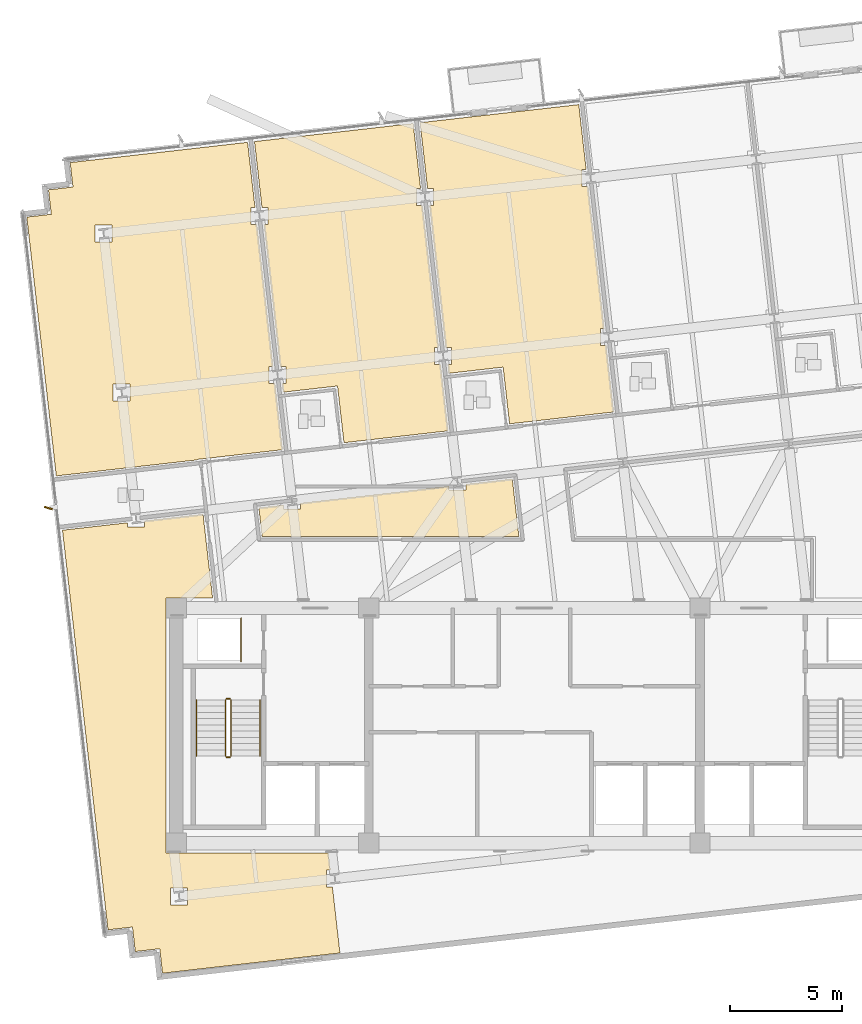
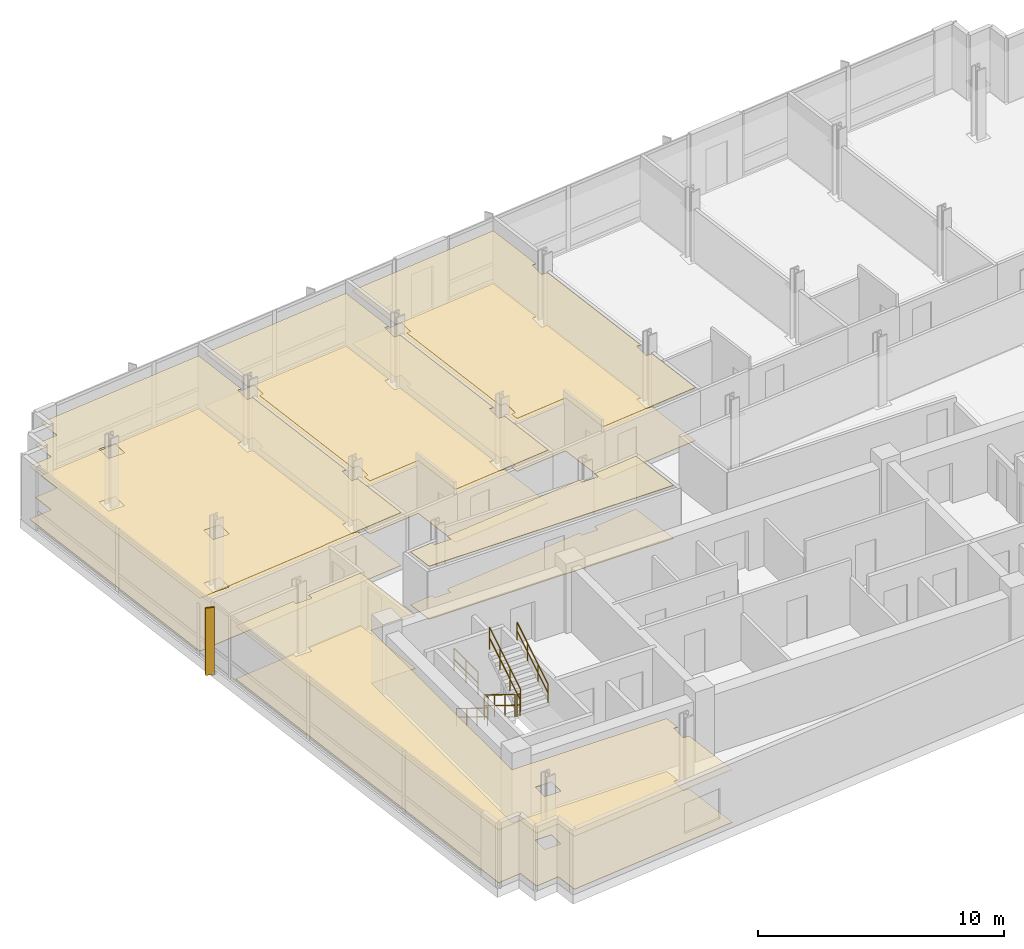
# One storey, part 12 of 15: 10 coverings, 7 railings, 1 shading device.
"""IFC4 building model written with IfcOpenShell, lengths in metres."""

from ifc_helpers import new_model, si_unit, direction, frame, origin, origin_2d, place, context, subcontext, project, spatial, polyline, rectangle, circle, outline, extrude, material, layer, layer_set, type_object, element, save


model = new_model("IFC4")

# Units and contexts
model_context = context("Model", 3, precision=1e-05, world=origin(), true_north=direction((0.0, 1.0)))
body_context = subcontext(model_context, "Body", "Model", "MODEL_VIEW")
ifc_project = project(units=[si_unit("LENGTHUNIT", "METRE"), si_unit("AREAUNIT", "SQUARE_METRE"), si_unit("VOLUMEUNIT", "CUBIC_METRE"), si_unit("PLANEANGLEUNIT", "RADIAN"), si_unit("MASSUNIT", "GRAM", prefix="KILO")], contexts=[model_context])

# Site, building, storey
site_placement = place(None, origin())
site = spatial("IfcSite", under=ifc_project, at=site_placement, CompositionType="ELEMENT")
building_placement = place(site_placement, origin())
building = spatial("IfcBuilding", under=site, at=building_placement, Name="Solmavex Isthmus Hotel", CompositionType="ELEMENT")
storey_placement = place(building_placement, frame((0.0, 0.0, 191.699951171875)))
storey = spatial("IfcBuildingStorey", under=building, at=storey_placement, Name="L51", CompositionType="ELEMENT", Elevation=191.699951171875)

# Coverings
ifc_material_1 = material(Name="Gypsum plasterboard lining", Category="gypsum")
ifc_layer_1 = layer(ifc_material_1, 0.030029296875)
ifc_layer_set_1 = layer_set([ifc_layer_1], Name="Gypsum plasterboard lining")
covering_type_1 = type_object("IfcCoveringType", Name="COV-CEIL-GYP", PredefinedType="CEILING", material=ifc_layer_set_1)
covering_1_placement = place(storey_placement, frame((0.0, 0.0, 2.6201171875)))
element("IfcCovering", 1, at=covering_1_placement, inside=storey, type_object=covering_type_1, Name="Suspended Acoustic Ceiling L51-RM01", PredefinedType="CEILING", context=body_context, shape_type="SweptSolid", body=[
    extrude(outline(polyline([(-15.079833984375, 4.11669921875), (-15.08203125, 4.136474609375), (-11.2490234375, 4.5732421875), (-11.586181640625, 7.532470703125), (-11.853271484375, 7.532470703125), (-11.853271484375, 8.29248046875), (-11.672607421875, 8.29248046875), (-12.395751953125, 14.638427734375), (-12.6630859375, 14.638427734375), (-12.6630859375, 15.3984375), (-12.482421875, 15.3984375), (-12.8134765625, 18.304443359375), (-19.92041015625, 17.49462890625), (-20.740234375, 17.4013671875), (-20.615478515625, 16.308349609375), (-21.70849609375, 16.183837890625), (-21.583984375, 15.091064453125), (-22.677001953125, 14.966552734375), (-22.58349609375, 14.146728515625), (-21.359130859375, 3.4013671875), (-15.079833984375, 4.11669921875)]), holes=[polyline([(-18.81640625, 6.739013671875), (-18.81640625, 7.4990234375), (-18.056396484375, 7.4990234375), (-18.056396484375, 6.739013671875), (-18.81640625, 6.739013671875)]), polyline([(-19.6259765625, 13.844970703125), (-19.6259765625, 14.60498046875), (-18.865966796875, 14.60498046875), (-18.865966796875, 13.844970703125), (-19.6259765625, 13.844970703125)])]), origin(), (0.0, 0.0, 1.0), 0.030029296875),
])
covering_2_placement = place(storey_placement, frame((0.0, 0.0, 2.6201171875)))
element("IfcCovering", 2, at=covering_2_placement, inside=storey, type_object=covering_type_1, Name="Suspended Acoustic Ceiling L51-RM02", PredefinedType="CEILING", context=body_context, shape_type="SweptSolid", body=[
    extrude(outline(polyline([(-11.360595703125, 8.29248046875), (-11.09326171875, 8.29248046875), (-11.09326171875, 7.532470703125), (-11.274169921875, 7.532470703125), (-11.2294921875, 7.14208984375), (-8.79541015625, 7.41943359375), (-8.506591796875, 4.8857421875), (-3.850830078125, 5.416259765625), (-4.18798828125, 8.375244140625), (-4.455322265625, 8.375244140625), (-4.455322265625, 9.13525390625), (-4.2744140625, 9.13525390625), (-4.99755859375, 15.481201171875), (-5.264892578125, 15.481201171875), (-5.264892578125, 16.2412109375), (-5.084228515625, 16.2412109375), (-5.415283203125, 19.1474609375), (-12.50537109375, 18.339599609375), (-12.17041015625, 15.3984375), (-11.903076171875, 15.3984375), (-11.903076171875, 14.638427734375), (-12.083740234375, 14.638427734375), (-11.763916015625, 11.832275390625), (-11.360595703125, 8.29248046875)])), origin(), (0.0, 0.0, 1.0), 0.030029296875),
])
covering_3_placement = place(storey_placement, frame((0.0, 0.0, 2.6201171875)))
element("IfcCovering", 3, at=covering_3_placement, inside=storey, type_object=covering_type_1, Name="Suspended Acoustic Ceiling L51-RM03", PredefinedType="CEILING", context=body_context, shape_type="SweptSolid", body=[
    extrude(outline(polyline([(-3.962646484375, 9.13525390625), (-3.6953125, 9.13525390625), (-3.6953125, 8.375244140625), (-3.8759765625, 8.375244140625), (-3.83154296875, 7.98486328125), (-1.397216796875, 8.26220703125), (-1.108642578125, 5.728759765625), (3.54736328125, 6.259033203125), (3.210205078125, 9.21826171875), (2.94287109375, 9.21826171875), (2.94287109375, 9.978271484375), (3.12353515625, 9.978271484375), (2.400634765625, 16.32421875), (2.13330078125, 16.32421875), (2.13330078125, 17.084228515625), (2.31396484375, 17.084228515625), (1.98291015625, 19.990234375), (-5.107177734375, 19.182373046875), (-4.772216796875, 16.2412109375), (-4.5048828125, 16.2412109375), (-4.5048828125, 15.481201171875), (-4.685546875, 15.481201171875), (-3.962646484375, 9.13525390625)])), origin(), (0.0, 0.0, 1.0), 0.030029296875),
])
covering_4_placement = place(storey_placement, frame((0.0, 0.0, 2.6201171875)))
element("IfcCovering", 4, at=covering_4_placement, inside=storey, type_object=covering_type_1, Name="Suspended Acoustic Ceiling L51-FL09", PredefinedType="CEILING", context=body_context, shape_type="SweptSolid", body=[
    extrude(outline(polyline([(-10.4541015625, 2.18798828125), (-10.4541015625, 1.920654296875), (-11.214111328125, 1.920654296875), (-11.214111328125, 2.101318359375), (-12.309814453125, 1.9765625), (-12.1650390625, 0.705078125), (-0.694091796875, 0.705078125), (-0.986083984375, 3.2666015625), (-3.055908203125, 3.03076171875), (-3.055908203125, 2.763671875), (-3.81591796875, 2.763671875), (-3.81591796875, 2.9443359375), (-10.4541015625, 2.18798828125)])), origin(), (0.0, 0.0, 1.0), 0.030029296875),
])
covering_5_placement = place(storey_placement, frame((0.0, 0.0, 2.6201171875)))
element("IfcCovering", 5, at=covering_5_placement, inside=storey, type_object=covering_type_1, Name="Suspended Acoustic Ceiling L51-FL10", PredefinedType="CEILING", context=body_context, shape_type="SweptSolid", body=[
    extrude(outline(polyline([(-17.4169921875, 1.39453125), (-17.4169921875, 1.12744140625), (-18.177001953125, 1.12744140625), (-18.177001953125, 1.30810546875), (-21.0830078125, 0.97705078125), (-19.996826171875, -8.556396484375), (-19.4365234375, -13.474609375), (-19.14208984375, -16.057861328125), (-19.048828125, -16.87744140625), (-17.955810546875, -16.7529296875), (-17.873779296875, -17.473388671875), (-17.831298828125, -17.845947265625), (-16.73828125, -17.721435546875), (-16.61376953125, -18.814453125), (-15.794189453125, -18.720947265625), (-8.687255859375, -17.9111328125), (-8.85400390625, -16.44580078125), (-9.022216796875, -14.969970703125), (-9.28955078125, -14.969970703125), (-9.28955078125, -14.2099609375), (-9.10888671875, -14.2099609375), (-9.19482421875, -13.455078125), (-16.455078125, -13.455078125), (-16.455078125, -2.044921875), (-14.3779296875, -2.044921875), (-14.8037109375, 1.6923828125), (-17.4169921875, 1.39453125)]), holes=[polyline([(-16.25244140625, -15.763427734375), (-16.25244140625, -15.00341796875), (-15.492431640625, -15.00341796875), (-15.492431640625, -15.763427734375), (-16.25244140625, -15.763427734375)])]), origin(), (0.0, 0.0, 1.0), 0.030029296875),
])
ifc_material_2 = material(Name="Travertine natural stone", Category="masonry")
ifc_layer_2 = layer(ifc_material_2, 0.02490234375)
ifc_layer_set_2 = layer_set([ifc_layer_2], Name="Travertine natural stone")
covering_type_2 = type_object("IfcCoveringType", Name="COV-FLOR-STN", PredefinedType="FLOORING", material=ifc_layer_set_2)
covering_6_placement = place(storey_placement, origin())
element("IfcCovering", 6, at=covering_6_placement, inside=storey, type_object=covering_type_2, Name="Stone and Timber Floor Finish L51-RM01", PredefinedType="FLOORING", context=body_context, shape_type="SweptSolid", body=[
    extrude(outline(polyline([(-15.079833984375, 4.11669921875), (-15.08203125, 4.136474609375), (-11.2490234375, 4.5732421875), (-11.586181640625, 7.532470703125), (-11.853271484375, 7.532470703125), (-11.853271484375, 8.29248046875), (-11.672607421875, 8.29248046875), (-12.395751953125, 14.638427734375), (-12.6630859375, 14.638427734375), (-12.6630859375, 15.3984375), (-12.482421875, 15.3984375), (-12.8134765625, 18.304443359375), (-19.92041015625, 17.49462890625), (-20.740234375, 17.4013671875), (-20.615478515625, 16.308349609375), (-21.70849609375, 16.183837890625), (-21.583984375, 15.091064453125), (-22.677001953125, 14.966552734375), (-22.58349609375, 14.146728515625), (-21.359130859375, 3.4013671875), (-15.079833984375, 4.11669921875)]), holes=[polyline([(-18.81640625, 6.739013671875), (-18.81640625, 7.4990234375), (-18.056396484375, 7.4990234375), (-18.056396484375, 6.739013671875), (-18.81640625, 6.739013671875)]), polyline([(-19.6259765625, 13.844970703125), (-19.6259765625, 14.60498046875), (-18.865966796875, 14.60498046875), (-18.865966796875, 13.844970703125), (-19.6259765625, 13.844970703125)])]), origin(), (0.0, 0.0, 1.0), 0.025146484375),
])
covering_7_placement = place(storey_placement, origin())
element("IfcCovering", 7, at=covering_7_placement, inside=storey, type_object=covering_type_2, Name="Stone and Timber Floor Finish L51-RM02", PredefinedType="FLOORING", context=body_context, shape_type="SweptSolid", body=[
    extrude(outline(polyline([(-11.360595703125, 8.29248046875), (-11.09326171875, 8.29248046875), (-11.09326171875, 7.532470703125), (-11.274169921875, 7.532470703125), (-11.2294921875, 7.14208984375), (-8.79541015625, 7.41943359375), (-8.506591796875, 4.8857421875), (-3.850830078125, 5.416259765625), (-4.18798828125, 8.375244140625), (-4.455322265625, 8.375244140625), (-4.455322265625, 9.13525390625), (-4.2744140625, 9.13525390625), (-4.99755859375, 15.481201171875), (-5.264892578125, 15.481201171875), (-5.264892578125, 16.2412109375), (-5.084228515625, 16.2412109375), (-5.415283203125, 19.1474609375), (-12.50537109375, 18.339599609375), (-12.17041015625, 15.3984375), (-11.903076171875, 15.3984375), (-11.903076171875, 14.638427734375), (-12.083740234375, 14.638427734375), (-11.763916015625, 11.832275390625), (-11.360595703125, 8.29248046875)])), origin(), (0.0, 0.0, 1.0), 0.025146484375),
])
covering_8_placement = place(storey_placement, origin())
element("IfcCovering", 8, at=covering_8_placement, inside=storey, type_object=covering_type_2, Name="Stone and Timber Floor Finish L51-RM03", PredefinedType="FLOORING", context=body_context, shape_type="SweptSolid", body=[
    extrude(outline(polyline([(-3.962646484375, 9.13525390625), (-3.6953125, 9.13525390625), (-3.6953125, 8.375244140625), (-3.8759765625, 8.375244140625), (-3.83154296875, 7.98486328125), (-1.397216796875, 8.26220703125), (-1.108642578125, 5.728759765625), (3.54736328125, 6.259033203125), (3.210205078125, 9.21826171875), (2.94287109375, 9.21826171875), (2.94287109375, 9.978271484375), (3.12353515625, 9.978271484375), (2.400634765625, 16.32421875), (2.13330078125, 16.32421875), (2.13330078125, 17.084228515625), (2.31396484375, 17.084228515625), (1.98291015625, 19.990234375), (-5.107177734375, 19.182373046875), (-4.772216796875, 16.2412109375), (-4.5048828125, 16.2412109375), (-4.5048828125, 15.481201171875), (-4.685546875, 15.481201171875), (-3.962646484375, 9.13525390625)])), origin(), (0.0, 0.0, 1.0), 0.025146484375),
])
covering_9_placement = place(storey_placement, origin())
element("IfcCovering", 9, at=covering_9_placement, inside=storey, type_object=covering_type_2, Name="Stone and Timber Floor Finish L51-FL09", PredefinedType="FLOORING", context=body_context, shape_type="SweptSolid", body=[
    extrude(outline(polyline([(-10.4541015625, 2.18798828125), (-10.4541015625, 1.920654296875), (-11.214111328125, 1.920654296875), (-11.214111328125, 2.101318359375), (-12.309814453125, 1.9765625), (-12.1650390625, 0.705078125), (-0.694091796875, 0.705078125), (-0.986083984375, 3.2666015625), (-3.055908203125, 3.03076171875), (-3.055908203125, 2.763671875), (-3.81591796875, 2.763671875), (-3.81591796875, 2.9443359375), (-10.4541015625, 2.18798828125)])), origin(), (0.0, 0.0, 1.0), 0.025146484375),
])
covering_10_placement = place(storey_placement, origin())
element("IfcCovering", 10, at=covering_10_placement, inside=storey, type_object=covering_type_2, Name="Stone and Timber Floor Finish L51-FL10", PredefinedType="FLOORING", context=body_context, shape_type="SweptSolid", body=[
    extrude(outline(polyline([(-17.4169921875, 1.39453125), (-17.4169921875, 1.12744140625), (-18.177001953125, 1.12744140625), (-18.177001953125, 1.30810546875), (-21.0830078125, 0.97705078125), (-19.996826171875, -8.556396484375), (-19.4365234375, -13.474609375), (-19.14208984375, -16.057861328125), (-19.048828125, -16.87744140625), (-17.955810546875, -16.7529296875), (-17.873779296875, -17.473388671875), (-17.831298828125, -17.845947265625), (-16.73828125, -17.721435546875), (-16.61376953125, -18.814453125), (-15.794189453125, -18.720947265625), (-8.687255859375, -17.9111328125), (-8.85400390625, -16.44580078125), (-9.022216796875, -14.969970703125), (-9.28955078125, -14.969970703125), (-9.28955078125, -14.2099609375), (-9.10888671875, -14.2099609375), (-9.19482421875, -13.455078125), (-16.455078125, -13.455078125), (-16.455078125, -2.044921875), (-14.3779296875, -2.044921875), (-14.8037109375, 1.6923828125), (-17.4169921875, 1.39453125)]), holes=[polyline([(-16.25244140625, -15.763427734375), (-16.25244140625, -15.00341796875), (-15.492431640625, -15.00341796875), (-15.492431640625, -15.763427734375), (-16.25244140625, -15.763427734375)])]), origin(), (0.0, 0.0, 1.0), 0.025146484375),
])

# Railings
ifc_material_3 = material(Name="Clear low-E laminated glass", Category="glass")
ifc_layer_3 = layer(ifc_material_3, 0.080078125)
ifc_layer_set_3 = layer_set([ifc_layer_3], Name="Clear low-E laminated glass")
railing_type_1 = type_object("IfcRailingType", Name="RAIL-ATRIUM-1120", PredefinedType="BALUSTRADE", material=ifc_layer_set_3)
railing_1_placement = place(storey_placement, frame((-13.10009765625, -4.89990234375, 0.0)))
element("IfcRailing", 11, at=railing_1_placement, inside=storey, type_object=railing_type_1, Name="Guardrail Balustrade L51-RSW-01", PredefinedType="BALUSTRADE", context=body_context, shape_type="SweptSolid", body=[
    extrude(circle(Radius=0.02392578125, at=origin_2d()), frame((0.0, 0.0, 1.1259765625), z_axis=(0.0, 1.0, 0.0), x_axis=(-1.0, 0.0, 0.0)), (0.0, 0.0, 1.0), 1.949951171875),
    extrude(circle(Radius=0.02392578125, at=origin_2d()), frame((0.0, 0.0, 0.574951171875), z_axis=(0.0, 1.0, 0.0), x_axis=(-1.0, 0.0, 0.0)), (0.0, 0.0, 1.0), 1.949951171875),
    extrude(circle(Radius=0.02099609375, at=origin_2d()), origin(), (0.0, 0.0, 1.0), 1.101806640625),
    extrude(circle(Radius=0.02099609375, at=origin_2d()), frame((0.0, 0.97509765625, 0.0)), (0.0, 0.0, 1.0), 1.101806640625),
    extrude(circle(Radius=0.02099609375, at=origin_2d()), frame((0.0, 1.949951171875, 0.0)), (0.0, 0.0, 1.0), 1.101806640625),
])
ifc_material_4 = material(Name="Stainless steel 316", Category="steel")
ifc_layer_4 = layer(ifc_material_4, 0.06005859375)
ifc_layer_set_4 = layer_set([ifc_layer_4], Name="Stainless steel 316")
railing_type_2 = type_object("IfcRailingType", Name="RAIL-STAIR-GD", PredefinedType="GUARDRAIL", material=ifc_layer_set_4)
railing_2_placement = place(storey_placement, frame((-13.800048828125, -6.60009765625, 0.172607421875)))
element("IfcRailing", 12, at=railing_2_placement, inside=storey, type_object=railing_type_2, Name="L51 ST-1 stair guard 1", PredefinedType="GUARDRAIL", context=body_context, shape_type="SweptSolid", body=[
    extrude(circle(Radius=0.02392578125, at=origin_2d()), frame((0.0, 0.0, 1.09619140625), z_axis=(0.0, -0.851400495292, 0.524516154772), x_axis=(1.0, 0.0, 0.0)), (0.0, 0.0, 1.0), 2.9599609375),
    extrude(circle(Radius=0.02392578125, at=origin_2d()), frame((0.0, 0.0, 0.56005859375), z_axis=(0.0, -0.851400495292, 0.524516154772), x_axis=(1.0, 0.0, 0.0)), (0.0, 0.0, 1.0), 2.9599609375),
    extrude(circle(Radius=0.02099609375, at=origin_2d()), origin(), (0.0, 0.0, 1.0), 1.072021484375),
    extrude(circle(Radius=0.02099609375, at=origin_2d()), frame((0.0, -0.840087890625, 0.517578125)), (0.0, 0.0, 1.0), 1.072021484375),
    extrude(circle(Radius=0.02099609375, at=origin_2d()), frame((0.0, -1.679931640625, 1.034912109375)), (0.0, 0.0, 1.0), 1.072021484375),
    extrude(circle(Radius=0.02099609375, at=origin_2d()), frame((0.0, -2.52001953125, 1.552490234375)), (0.0, 0.0, 1.0), 1.072021484375),
])
railing_3_placement = place(storey_placement, frame((-13.75, -9.169921875, 1.72509765625)))
element("IfcRailing", 13, at=railing_3_placement, inside=storey, type_object=railing_type_2, Name="L51 ST-1 stair guard 2", PredefinedType="GUARDRAIL", context=body_context, shape_type="SweptSolid", body=[
    extrude(circle(Radius=0.02392578125, at=origin_2d()), frame((0.0, 0.0, 1.09619140625), z_axis=(1.0, 0.0, 0.0), x_axis=(0.0, 1.0, 0.0)), (0.0, 0.0, 1.0), 0.14990234375),
    extrude(circle(Radius=0.02392578125, at=origin_2d()), frame((0.0, 0.0, 0.56005859375), z_axis=(1.0, 0.0, 0.0), x_axis=(0.0, 1.0, 0.0)), (0.0, 0.0, 1.0), 0.14990234375),
    extrude(circle(Radius=0.02099609375, at=origin_2d()), origin(), (0.0, 0.0, 1.0), 1.072021484375),
    extrude(circle(Radius=0.02099609375, at=origin_2d()), frame((0.14990234375, 0.0, 0.0)), (0.0, 0.0, 1.0), 1.072021484375),
])
railing_4_placement = place(storey_placement, frame((-13.550048828125, -9.1201171875, 1.8974609375)))
element("IfcRailing", 14, at=railing_4_placement, inside=storey, type_object=railing_type_2, Name="L51 ST-1 stair guard 3", PredefinedType="GUARDRAIL", context=body_context, shape_type="SweptSolid", body=[
    extrude(circle(Radius=0.02392578125, at=origin_2d()), frame((0.0, 0.0, 1.09619140625), z_axis=(0.0, 0.851400495292, 0.524516154772), x_axis=(-1.0, 0.0, 0.0)), (0.0, 0.0, 1.0), 2.9599609375),
    extrude(circle(Radius=0.02392578125, at=origin_2d()), frame((0.0, 0.0, 0.56005859375), z_axis=(0.0, 0.851400495292, 0.524516154772), x_axis=(-1.0, 0.0, 0.0)), (0.0, 0.0, 1.0), 2.9599609375),
    extrude(circle(Radius=0.02099609375, at=origin_2d()), origin(), (0.0, 0.0, 1.0), 1.072021484375),
    extrude(circle(Radius=0.02099609375, at=origin_2d()), frame((0.0, 0.840087890625, 0.517578125)), (0.0, 0.0, 1.0), 1.072021484375),
    extrude(circle(Radius=0.02099609375, at=origin_2d()), frame((0.0, 1.679931640625, 1.034912109375)), (0.0, 0.0, 1.0), 1.072021484375),
    extrude(circle(Radius=0.02099609375, at=origin_2d()), frame((0.0, 2.52001953125, 1.552490234375)), (0.0, 0.0, 1.0), 1.072021484375),
])
railing_5_placement = place(storey_placement, frame((-13.75, -6.550048828125, 0.0)))
element("IfcRailing", 15, at=railing_5_placement, inside=storey, type_object=railing_type_2, Name="L51 ST-1 stair guard 4", PredefinedType="GUARDRAIL", context=body_context, shape_type="SweptSolid", body=[
    extrude(circle(Radius=0.02392578125, at=origin_2d()), frame((0.0, 0.0, 1.09619140625), z_axis=(1.0, 0.0, 0.0), x_axis=(0.0, 1.0, 0.0)), (0.0, 0.0, 1.0), 0.14990234375),
    extrude(circle(Radius=0.02392578125, at=origin_2d()), frame((0.0, 0.0, 0.56005859375), z_axis=(1.0, 0.0, 0.0), x_axis=(0.0, 1.0, 0.0)), (0.0, 0.0, 1.0), 0.14990234375),
    extrude(circle(Radius=0.02099609375, at=origin_2d()), origin(), (0.0, 0.0, 1.0), 1.072021484375),
    extrude(circle(Radius=0.02099609375, at=origin_2d()), frame((0.14990234375, 0.0, 0.0)), (0.0, 0.0, 1.0), 1.072021484375),
])
ifc_layer_5 = layer(ifc_material_4, 0.050048828125)
ifc_layer_set_5 = layer_set([ifc_layer_5], Name="Stainless steel 316")
railing_type_3 = type_object("IfcRailingType", Name="RAIL-STAIR-HR", PredefinedType="HANDRAIL", material=ifc_layer_set_5)
railing_6_placement = place(storey_placement, frame((-15.10009765625, -6.60009765625, 0.172607421875)))
element("IfcRailing", 16, at=railing_6_placement, inside=storey, type_object=railing_type_3, Name="L51 ST-1 stair handrail 1", PredefinedType="HANDRAIL", context=body_context, shape_type="SweptSolid", body=[
    extrude(circle(Radius=0.02392578125, at=origin_2d()), frame((0.0, 0.0, 0.8759765625), z_axis=(0.0, -0.851400495292, 0.524516154772), x_axis=(1.0, 0.0, 0.0)), (0.0, 0.0, 1.0), 2.9599609375),
    extrude(circle(Radius=0.02392578125, at=origin_2d()), frame((0.0, 0.0, 0.449951171875), z_axis=(0.0, -0.851400495292, 0.524516154772), x_axis=(1.0, 0.0, 0.0)), (0.0, 0.0, 1.0), 2.9599609375),
    extrude(circle(Radius=0.02099609375, at=origin_2d()), origin(), (0.0, 0.0, 1.0), 0.851806640625),
    extrude(circle(Radius=0.02099609375, at=origin_2d()), frame((0.0, -0.840087890625, 0.517578125)), (0.0, 0.0, 1.0), 0.851806640625),
    extrude(circle(Radius=0.02099609375, at=origin_2d()), frame((0.0, -1.679931640625, 1.034912109375)), (0.0, 0.0, 1.0), 0.851806640625),
    extrude(circle(Radius=0.02099609375, at=origin_2d()), frame((0.0, -2.52001953125, 1.552490234375)), (0.0, 0.0, 1.0), 0.851806640625),
])
railing_7_placement = place(storey_placement, frame((-12.25, -9.1201171875, 1.8974609375)))
element("IfcRailing", 17, at=railing_7_placement, inside=storey, type_object=railing_type_3, Name="L51 ST-1 stair handrail 2", PredefinedType="HANDRAIL", context=body_context, shape_type="SweptSolid", body=[
    extrude(circle(Radius=0.02392578125, at=origin_2d()), frame((0.0, 0.0, 0.8759765625), z_axis=(0.0, 0.851400495292, 0.524516154772), x_axis=(-1.0, 0.0, 0.0)), (0.0, 0.0, 1.0), 2.9599609375),
    extrude(circle(Radius=0.02392578125, at=origin_2d()), frame((0.0, 0.0, 0.449951171875), z_axis=(0.0, 0.851400495292, 0.524516154772), x_axis=(-1.0, 0.0, 0.0)), (0.0, 0.0, 1.0), 2.9599609375),
    extrude(circle(Radius=0.02099609375, at=origin_2d()), origin(), (0.0, 0.0, 1.0), 0.851806640625),
    extrude(circle(Radius=0.02099609375, at=origin_2d()), frame((0.0, 0.840087890625, 0.517578125)), (0.0, 0.0, 1.0), 0.851806640625),
    extrude(circle(Radius=0.02099609375, at=origin_2d()), frame((0.0, 1.679931640625, 1.034912109375)), (0.0, 0.0, 1.0), 0.851806640625),
    extrude(circle(Radius=0.02099609375, at=origin_2d()), frame((0.0, 2.52001953125, 1.552490234375)), (0.0, 0.0, 1.0), 0.851806640625),
])

# Shading device
ifc_material_5 = material(Name="Aluminium alloy 6063-T6", Category="aluminium")
shading_device_type = type_object("IfcShadingDeviceType", Name="SHD-FIN-CHAMP", PredefinedType="USERDEFINED", material=ifc_material_5)
shading_device_placement = place(storey_placement, frame((-21.714111328125, 1.966796875, -0.139892578125), z_axis=(0.0, 0.0, 1.0), x_axis=(-0.953716950748, 0.300705799504, 0.0)))
element("IfcShadingDevice", 18, at=shading_device_placement, inside=storey, type_object=shading_device_type, Name="Anodised Aluminium Solar Fin L51-W1", ObjectType="SOLAR_FIN", PredefinedType="USERDEFINED", context=body_context, shape_type="SweptSolid", body=[
    extrude(rectangle(XDim=0.3798828125, YDim=0.070068359375, at=origin_2d()), origin(), (0.0, 0.0, 1.0), 3.330078125),
])

save(model, "model.ifc")
